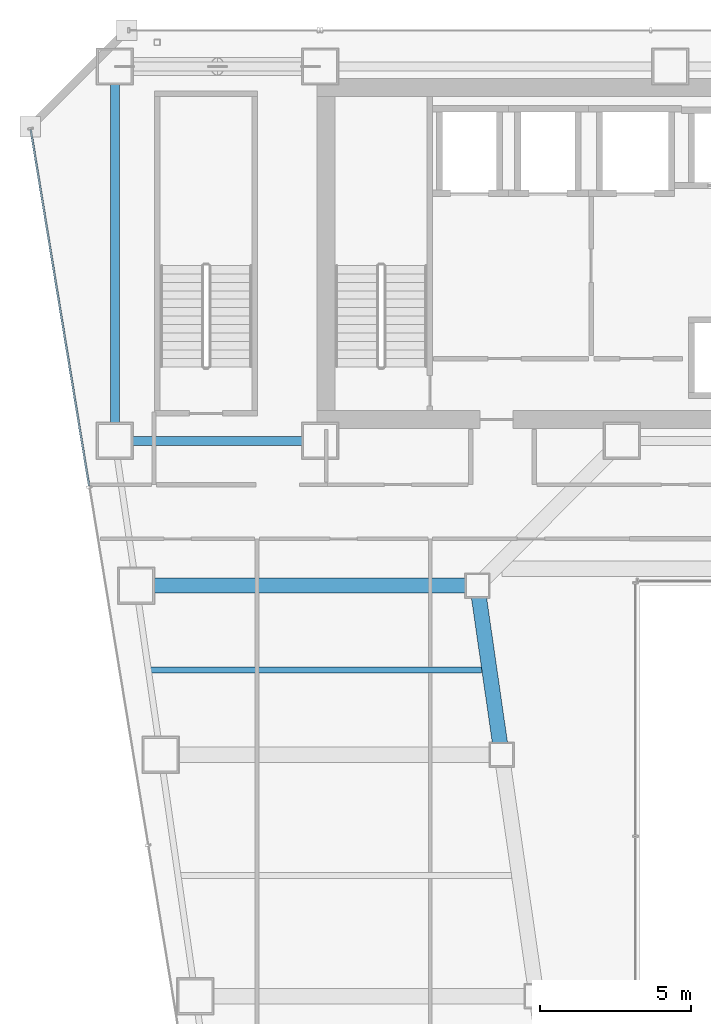
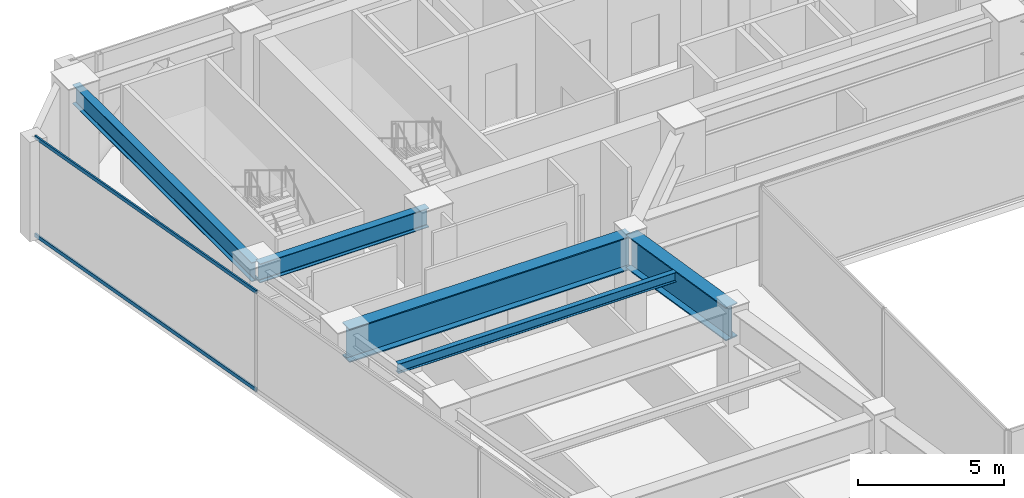
# One storey, part 22 of 40: 5 beams, 2 members, 1 element without a shape of its own.
"""IFC4 building model written with IfcOpenShell, lengths in metres."""

import ifcopenshell
import ifcopenshell.guid

model = None  # the IFC model being written
_history = None  # IfcOwnerHistory: only IFC2X3 demands one
_inside = {}  # id of a spatial element -> (the spatial element, [elements in it])
_under = {}  # id of a project, library or spatial element -> (it, [spatial elements below it])
_declared = {}  # id of a project -> (the project, [libraries it declares])
_typed = {}  # id of a type object -> (the type object, [elements of that type])
_made_of = {}  # id of a material, layer set ... -> (it, [elements and type objects made of it])


def new_model(schema):
    """Start an empty IFC model of exactly this schema.

    Asked for "IFC4X3", IfcOpenShell would pick the latest addendum, in which some entities
    have other attributes; the version numbers below select the first issue.
    IFC2X3 requires an IfcOwnerHistory on every rooted entity: one is made here for all.
    """
    global model, _history
    if schema == "IFC4X3":
        model = ifcopenshell.file(schema_version=(4, 3, 0, 0))
    else:
        model = ifcopenshell.file(schema=schema)
    _inside.clear()
    _under.clear()
    _declared.clear()
    _typed.clear()
    _made_of.clear()
    _history = None
    if model.schema == "IFC2X3":
        org = make("IfcOrganization", Name="unknown")
        user = make(
            "IfcPersonAndOrganization",
            ThePerson=make("IfcPerson", FamilyName="unknown"),
            TheOrganization=org,
        )
        app = make(
            "IfcApplication",
            ApplicationDeveloper=org,
            Version="unknown",
            ApplicationFullName="unknown",
            ApplicationIdentifier="unknown",
        )
        _history = make(
            "IfcOwnerHistory",
            OwningUser=user,
            OwningApplication=app,
            ChangeAction="ADDED",
            CreationDate=0,
        )
    return model


def make(cls, **values):
    """One entity of the class cls with the attributes given. An attribute that is None is left unset."""
    return model.create_entity(
        cls, **{name: value for name, value in values.items() if value is not None}
    )


def rooted(cls, **values):
    """An entity with a GlobalId (a new one), such as an element, a storey or a relation."""
    return make(cls, GlobalId=ifcopenshell.guid.new(), OwnerHistory=_history, **values)


def si_unit(unit_type, name, prefix=None):
    """IfcSIUnit, for example si_unit("LENGTHUNIT", "METRE", prefix="MILLI")."""
    return make("IfcSIUnit", UnitType=unit_type, Prefix=prefix, Name=name)


def assignment(units):
    """IfcUnitAssignment: the units of a project."""
    return None if units is None else make("IfcUnitAssignment", Units=units)


def point(xyz):
    """IfcCartesianPoint."""
    return None if xyz is None else make("IfcCartesianPoint", Coordinates=xyz)


def direction(xyz):
    """IfcDirection."""
    return None if xyz is None else make("IfcDirection", DirectionRatios=xyz)


def frame(location, z_axis=None, x_axis=None):
    """IfcAxis2Placement3D, a coordinate frame: its origin and axes. An axis left out is left unset."""
    return make(
        "IfcAxis2Placement3D",
        Location=point(location),
        Axis=direction(z_axis),
        RefDirection=direction(x_axis),
    )


def frame_2d(location, x_axis=None):
    """IfcAxis2Placement2D, a coordinate frame in the plane: its origin and x axis."""
    return make(
        "IfcAxis2Placement2D", Location=point(location), RefDirection=direction(x_axis)
    )


def origin():
    """The frame at (0, 0, 0) with its axes left unset."""
    return frame((0.0, 0.0, 0.0))


def origin_2d():
    """The frame at (0, 0) in the plane with its x axis left unset."""
    return frame_2d((0.0, 0.0))


def place(relative_to, where):
    """IfcLocalPlacement: puts the frame where relative to a parent placement (None: the world)."""
    return make(
        "IfcLocalPlacement", PlacementRelTo=relative_to, RelativePlacement=where
    )


def context(
    kind, dimensions, precision=None, world=None, true_north=None, identifier=None
):
    """IfcGeometricRepresentationContext, for example the 3D "Model" context."""
    return make(
        "IfcGeometricRepresentationContext",
        ContextIdentifier=identifier,
        ContextType=kind,
        CoordinateSpaceDimension=dimensions,
        Precision=precision,
        WorldCoordinateSystem=world,
        TrueNorth=true_north,
    )


def subcontext(parent, identifier, kind, view, scale=None):
    """IfcGeometricRepresentationSubContext, for example "Body" below "Model"."""
    return make(
        "IfcGeometricRepresentationSubContext",
        ContextIdentifier=identifier,
        ContextType=kind,
        ParentContext=parent,
        TargetScale=scale,
        TargetView=view,
    )


def project(units=None, contexts=None):
    """IfcProject with its units and contexts."""
    return rooted(
        "IfcProject",
        Name="project",
        RepresentationContexts=contexts,
        UnitsInContext=assignment(units),
    )


def spatial(cls, under=None, at=None, **own):
    """A site, building, storey or space (cls), placed at a placement, below another one or the project."""
    s = rooted(cls, ObjectPlacement=at, **own)
    if under is not None:
        _under.setdefault(under.id(), (under, []))[1].append(s)
    return s


def profile(cls, at=None, kind="AREA", **sizes):
    """A parametric profile (cls). Its sizes go by their IFC names, for example OverallWidth=200.0."""
    return make(cls, ProfileType=kind, Position=at, **sizes)


def hollow_rectangle(**sizes):
    """IfcRectangleHollowProfileDef."""
    return profile("IfcRectangleHollowProfileDef", **sizes)


def i_section(**sizes):
    """IfcIShapeProfileDef."""
    return profile("IfcIShapeProfileDef", **sizes)


def extrude(swept, where, along, depth):
    """IfcExtrudedAreaSolid: the profile swept, set in the frame where, extruded along a direction by depth."""
    return make(
        "IfcExtrudedAreaSolid",
        SweptArea=swept,
        Position=where,
        ExtrudedDirection=direction(along),
        Depth=depth,
    )


def shape(context_of_items, identifier, shape_type, items):
    """IfcShapeRepresentation: the items that make up one representation, for example the "Body"."""
    return make(
        "IfcShapeRepresentation",
        ContextOfItems=context_of_items,
        RepresentationIdentifier=identifier,
        RepresentationType=shape_type,
        Items=items,
    )


def material(Name=None, Category=None):
    """IfcMaterial."""
    return make("IfcMaterial", Name=Name, Category=Category)


def material_profile(
    of_material, cross_section, Name=None, Category=None, Priority=None
):
    """IfcMaterialProfile: a cross section and its material."""
    return make(
        "IfcMaterialProfile",
        Name=Name,
        Material=of_material,
        Profile=cross_section,
        Priority=Priority,
        Category=Category,
    )


def profile_set(profiles, Name=None, composite=None):
    """IfcMaterialProfileSet."""
    return make(
        "IfcMaterialProfileSet",
        Name=Name,
        MaterialProfiles=profiles,
        CompositeProfile=composite,
    )


def made_of(thing, what):
    """Note that an element or type object is made of a material, layer set ...; save() writes the relation."""
    if what is not None:
        _made_of.setdefault(what.id(), (what, []))[1].append(thing)
    return thing


def type_object(cls, material=None, **own):
    """A type object (cls), such as IfcWallType, which elements share."""
    return made_of(rooted(cls, **own), material)


def element(
    cls,
    number,
    at=None,
    inside=None,
    cuts=None,
    type_object=None,
    material=None,
    context=None,
    identifier="Body",
    shape_type=None,
    held_by="IfcProductDefinitionShape",
    body=None,
    shapes=None,
    **own,
):
    """One element of the class cls, such as IfcWall. Its Tag is "e" and its number.

    at: its placement. inside: the storey or other place that contains it. cuts: it is an
    opening in that element (IfcRelVoidsElement). A single representation is given by context,
    identifier, shape_type and body (its items); several are given by shapes. held_by: the class
    of the entity that holds the representations. save() writes the other relations.
    """
    e = rooted(cls, Tag="e%d" % number, ObjectPlacement=at, **own)
    if body is not None:
        shapes = [shape(context, identifier, shape_type, body)]
    if shapes is not None:
        e.Representation = make(held_by, Representations=shapes)
    if inside is not None:
        _inside.setdefault(inside.id(), (inside, []))[1].append(e)
    if cuts is not None:
        rooted(
            "IfcRelVoidsElement", RelatingBuildingElement=cuts, RelatedOpeningElement=e
        )
    if type_object is not None:
        _typed.setdefault(type_object.id(), (type_object, []))[1].append(e)
    return made_of(e, material)


def aggregate(whole, parts):
    """IfcRelAggregates: a whole, such as a stair, and the parts it consists of."""
    return rooted("IfcRelAggregates", RelatingObject=whole, RelatedObjects=parts)


def save(model, path):
    """Write the relations noted so far, then the file.

    IfcRelAggregates (storeys below a building ...), IfcRelContainedInSpatialStructure (elements
    in a storey), IfcRelDefinesByType, IfcRelAssociatesMaterial and IfcRelDeclares: one each for
    every whole, place, type object, material and project.
    """
    for whole, parts in _under.values():
        aggregate(whole, parts)
    for where, things in _inside.values():
        rooted(
            "IfcRelContainedInSpatialStructure",
            RelatedElements=things,
            RelatingStructure=where,
        )
    for kind, things in _typed.values():
        rooted("IfcRelDefinesByType", RelatedObjects=things, RelatingType=kind)
    for what, things in _made_of.values():
        rooted("IfcRelAssociatesMaterial", RelatedObjects=things, RelatingMaterial=what)
    for by, libraries in _declared.values():
        rooted("IfcRelDeclares", RelatingContext=by, RelatedDefinitions=libraries)
    model.write(path)


model = new_model("IFC4")

# Units and contexts
model_context = context("Model", 3, precision=1e-05, world=origin(), true_north=direction((0.0, 1.0)))
body_context = subcontext(model_context, "Body", "Model", "MODEL_VIEW")
ifc_project = project(units=[si_unit("LENGTHUNIT", "METRE"), si_unit("AREAUNIT", "SQUARE_METRE"), si_unit("VOLUMEUNIT", "CUBIC_METRE"), si_unit("PLANEANGLEUNIT", "RADIAN"), si_unit("MASSUNIT", "GRAM", prefix="KILO")], contexts=[model_context])

# Site, building, storey
site_placement = place(None, origin())
site = spatial("IfcSite", under=ifc_project, at=site_placement, CompositionType="ELEMENT")
building_placement = place(site_placement, origin())
building = spatial("IfcBuilding", under=site, at=building_placement, Name="Saevonmaru Cultural Tower", CompositionType="ELEMENT")
storey_placement = place(building_placement, frame((0.0, 0.0, 97.199951171875)))
storey = spatial("IfcBuildingStorey", under=building, at=storey_placement, Name="L20", CompositionType="ELEMENT", Elevation=97.199951171875)

# Beams
ifc_material_1 = material(Name="Steel SM420", Category="steel")
ifc_material_profile_1 = material_profile(ifc_material_1, i_section(OverallWidth=0.300048828125, OverallDepth=0.800048828125, WebThickness=0.013916015625, FlangeThickness=0.02587890625, FilletRadius=0.028076171875, at=origin_2d()), Name="H-800x300x14x26")
ifc_profile_set_1 = profile_set([ifc_material_profile_1], Name="Steel SM420")
beam_type_1 = type_object("IfcBeamType", Name="BM-G-H800", PredefinedType="BEAM", material=ifc_profile_set_1)
beam_1_placement = place(storey_placement, frame((6.860107421875, 42.39990234375, 3.75), z_axis=(1.0, 0.0, 0.0), x_axis=(0.0, 1.0, 0.0)))
element("IfcBeam", 1, at=beam_1_placement, inside=storey, type_object=beam_type_1, Name="L20 Core South Girder 1", PredefinedType="BEAM", context=body_context, shape_type="SweptSolid", body=[
    extrude(i_section(OverallWidth=0.300048828125, OverallDepth=0.800048828125, WebThickness=0.013916015625, FlangeThickness=0.02587890625, FilletRadius=0.028076171875, at=origin_2d()), origin(), (0.0, 0.0, 1.0), 6.679931640625),
])
beam_2_placement = place(storey_placement, frame((6.800048828125, 54.739990234375, 3.75), z_axis=(0.0, -1.0, 0.0), x_axis=(1.0, 0.0, 0.0)))
element("IfcBeam", 2, at=beam_2_placement, inside=storey, type_object=beam_type_1, Name="L20 Spine Transverse Girder W", PredefinedType="BEAM", context=body_context, shape_type="SweptSolid", body=[
    extrude(i_section(OverallWidth=0.300048828125, OverallDepth=0.800048828125, WebThickness=0.013916015625, FlangeThickness=0.02587890625, FilletRadius=0.028076171875, at=origin_2d()), origin(), (0.0, 0.0, 1.0), 12.280029296875),
])
ifc_material_2 = material(Name="Steel SM355", Category="steel")
ifc_material_profile_2 = material_profile(ifc_material_2, i_section(OverallWidth=0.199951171875, OverallDepth=0.39990234375, WebThickness=0.008056640625, FlangeThickness=0.012939453125, FilletRadius=0.01611328125, at=origin_2d()), Name="H-400x200x8x13")
ifc_profile_set_2 = profile_set([ifc_material_profile_2], Name="Steel SM355")
beam_type_2 = type_object("IfcBeamType", Name="BM-J-H400", PredefinedType="JOIST", material=ifc_profile_set_2)
beam_3_placement = place(storey_placement, frame((7.972412109375, 34.800048828125, 3.949951171875), z_axis=(1.0, 0.0, 0.0), x_axis=(0.0, 1.0, 0.0)))
element("IfcBeam", 3, at=beam_3_placement, inside=storey, type_object=beam_type_2, Name="L20 West Wing Floor Joist 5", PredefinedType="JOIST", context=body_context, shape_type="SweptSolid", body=[
    extrude(i_section(OverallWidth=0.199951171875, OverallDepth=0.39990234375, WebThickness=0.008056640625, FlangeThickness=0.012939453125, FilletRadius=0.01611328125, at=origin_2d()), origin(), (0.0, 0.0, 1.0), 10.982177734375),
])
ifc_material_3 = material(Name="Steel HSA600 (600 MPa)", Category="steel")
ifc_material_profile_3 = material_profile(ifc_material_3, i_section(OverallWidth=0.5, OverallDepth=1.39990234375, WebThickness=0.02392578125, FlangeThickness=0.044921875, at=origin_2d()), Name="PG-1400x500x24x45")
ifc_profile_set_3 = profile_set([ifc_material_profile_3], Name="Steel HSA600 (600 MPa)")
beam_type_3 = type_object("IfcBeamType", Name="BM-TG-PG1400", PredefinedType="BEAM", material=ifc_profile_set_3)
beam_4_placement = place(storey_placement, frame((19.6083984375, 32.059326171875, 3.449951171875), z_axis=(-0.142964121327, 0.989727871697, 0.0), x_axis=(-0.989727871697, -0.142964121327, 0.0)))
element("IfcBeam", 4, at=beam_4_placement, inside=storey, type_object=beam_type_3, Name="L20 West Atrium Girder 5", PredefinedType="BEAM", context=body_context, shape_type="SweptSolid", body=[
    extrude(i_section(OverallWidth=0.5, OverallDepth=1.39990234375, WebThickness=0.02392578125, FlangeThickness=0.044921875, at=origin_2d()), origin(), (0.0, 0.0, 1.0), 5.5380859375),
])
beam_5_placement = place(storey_placement, frame((7.568115234375, 37.60009765625, 3.449951171875), z_axis=(1.0, 0.0, 0.0), x_axis=(0.0, 1.0, 0.0)))
element("IfcBeam", 5, at=beam_5_placement, inside=storey, type_object=beam_type_3, Name="L20 West Wing Transverse Girder 6", PredefinedType="BEAM", context=body_context, shape_type="SweptSolid", body=[
    extrude(i_section(OverallWidth=0.5, OverallDepth=1.39990234375, WebThickness=0.02392578125, FlangeThickness=0.044921875, at=origin_2d()), origin(), (0.0, 0.0, 1.0), 11.179931640625),
])

# Curtain wall, members
ifc_material_4 = material(Name="Satin Bronze Anodised Aluminium", Category="aluminium")
curtain_wall_type = type_object("IfcCurtainWallType", Name="CW-TYP-A", PredefinedType="NOTDEFINED", material=ifc_material_4)
curtain_wall_placement = place(storey_placement, origin())
curtain_wall = element("IfcCurtainWall", 6, at=curtain_wall_placement, inside=storey, type_object=curtain_wall_type, Name="L20 Unitised Curtain Wall E12", PredefinedType="NOTDEFINED")
ifc_material_profile_4 = material_profile(ifc_material_4, hollow_rectangle(XDim=0.06494140625, YDim=0.14990234375, WallThickness=0.00390625, at=origin_2d()), Name="ALU-TRAN-150x65x4")
ifc_profile_set_4 = profile_set([ifc_material_profile_4], Name="Satin Bronze Anodised Aluminium")
member_type = type_object("IfcMemberType", Name="TR-CW-150x65", PredefinedType="USERDEFINED", material=ifc_profile_set_4)
member_1_placement = place(storey_placement, frame((4.014892578125, 52.708740234375, 0.032470703125), z_axis=(0.161724530373, -0.986835941925, 0.0), x_axis=(0.986835941925, 0.161724530373, 0.0)))
member_1 = element("IfcMember", 7, at=member_1_placement, type_object=member_type, Name="CW-TW-L20-E12 transom 1.1", ObjectType="TRANSOM", PredefinedType="USERDEFINED", context=body_context, shape_type="SweptSolid", body=[
    extrude(hollow_rectangle(XDim=0.06494140625, YDim=0.14990234375, WallThickness=0.00390625, at=origin_2d()), origin(), (0.0, 0.0, 1.0), 11.963623046875),
])
member_2_placement = place(storey_placement, frame((4.014892578125, 52.708740234375, 4.117431640625), z_axis=(0.161724530373, -0.986835941925, 0.0), x_axis=(0.986835941925, 0.161724530373, 0.0)))
member_2 = element("IfcMember", 8, at=member_2_placement, type_object=member_type, Name="CW-TW-L20-E12 transom 1.2", ObjectType="TRANSOM", PredefinedType="USERDEFINED", context=body_context, shape_type="SweptSolid", body=[
    extrude(hollow_rectangle(XDim=0.06494140625, YDim=0.14990234375, WallThickness=0.00390625, at=origin_2d()), origin(), (0.0, 0.0, 1.0), 11.963623046875),
])
aggregate(curtain_wall, [member_1, member_2])

save(model, "model.ifc")
